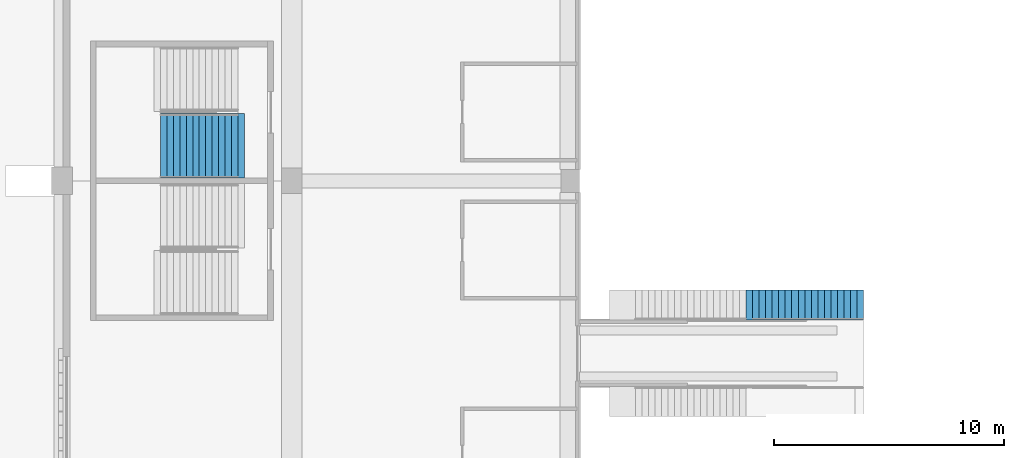
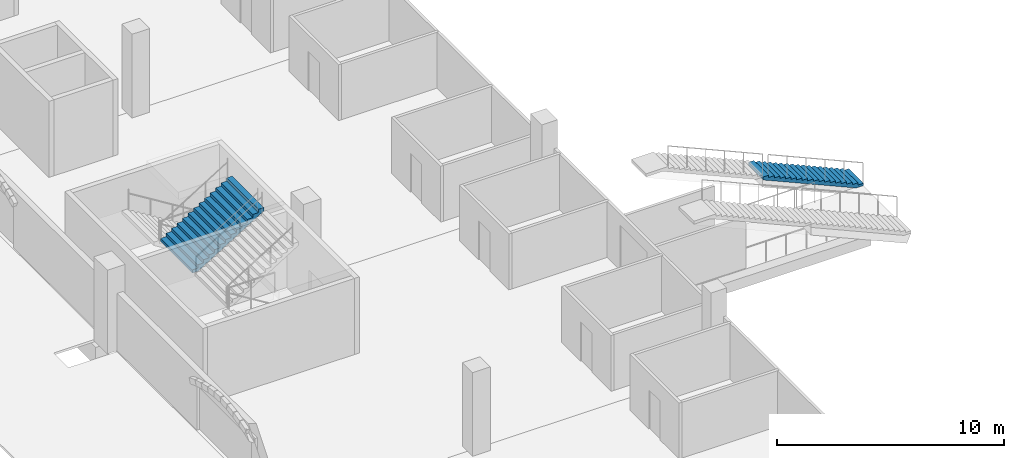
# One storey, part 81 of 175: 2 stair flights, 2 elements without a shape of their own.
"""IFC4 building model written with IfcOpenShell, lengths in metres."""

from ifc_helpers import new_model, si_unit, direction, frame, origin, place, context, subcontext, project, spatial, faceted_brep, material, type_object, element, aggregate, save


model = new_model("IFC4")

# Units and contexts
model_context = context("Model", 3, precision=1e-05, world=origin(), true_north=direction((0.0, 1.0)))
body_context = subcontext(model_context, "Body", "Model", "MODEL_VIEW")
ifc_project = project(units=[si_unit("LENGTHUNIT", "METRE"), si_unit("AREAUNIT", "SQUARE_METRE"), si_unit("VOLUMEUNIT", "CUBIC_METRE"), si_unit("PLANEANGLEUNIT", "RADIAN"), si_unit("MASSUNIT", "GRAM", prefix="KILO")], contexts=[model_context])

# Site, building, storey
site_placement = place(None, origin())
site = spatial("IfcSite", under=ifc_project, at=site_placement, CompositionType="ELEMENT")
building_placement = place(site_placement, origin())
building = spatial("IfcBuilding", under=site, at=building_placement, Name="Ogive Plaza Stadium", CompositionType="ELEMENT")
storey_placement = place(building_placement, origin())
storey = spatial("IfcBuildingStorey", under=building, at=storey_placement, Name="L00", CompositionType="ELEMENT", Elevation=0.0)

# Stair, stair flight
ifc_material_1 = material(Name="Concrete C40/50", Category="concrete")
stair_type_1 = type_object("IfcStairType", Name="Aisle stair", PredefinedType="STRAIGHT_RUN_STAIR", material=ifc_material_1)
stair_1_placement = place(storey_placement, origin())
stair_1 = element("IfcStair", 1, at=stair_1_placement, inside=storey, type_object=stair_type_1, Name="Aisle stair SA23L", PredefinedType="STRAIGHT_RUN_STAIR")
ifc_material_2 = material(Name="Concrete C40/50", Category="concrete")
stair_flight_type_1 = type_object("IfcStairFlightType", Name="Aisle stair flight", PredefinedType="STRAIGHT", material=ifc_material_2)
stair_flight_1_placement = place(storey_placement, frame((-49.14990234375, -12.89990234375, 0.0), z_axis=(0.0, 0.0, 1.0), x_axis=(-1.0, 0.0, 0.0)))
stair_flight_1 = element("IfcStairFlight", 2, at=stair_flight_1_placement, type_object=stair_flight_type_1, Name="SA23L flight 1", NumberOfRisers=18, NumberOfTreads=17, PredefinedType="STRAIGHT", RiserHeight=0.125, TreadLength=0.283333333, context=body_context, shape_type="Brep", body=[
    faceted_brep([(0.371337890625, -0.64990234375, 0.0), (5.10009765625, -0.64990234375, 2.086181640625), (5.10009765625, -0.64990234375, 2.25), (4.816650390625, -0.64990234375, 2.25), (4.816650390625, -0.64990234375, 2.125), (4.533447265625, -0.64990234375, 2.125), (4.533447265625, -0.64990234375, 2.0), (4.25, -0.64990234375, 2.0), (4.25, -0.64990234375, 1.875), (3.966552734375, -0.64990234375, 1.875), (3.966552734375, -0.64990234375, 1.75), (3.683349609375, -0.64990234375, 1.75), (3.683349609375, -0.64990234375, 1.625), (3.39990234375, -0.64990234375, 1.625), (3.39990234375, -0.64990234375, 1.5), (3.11669921875, -0.64990234375, 1.5), (3.11669921875, -0.64990234375, 1.375), (2.833251953125, -0.64990234375, 1.375), (2.833251953125, -0.64990234375, 1.25), (2.550048828125, -0.64990234375, 1.25), (2.550048828125, -0.64990234375, 1.125), (2.2666015625, -0.64990234375, 1.125), (2.2666015625, -0.64990234375, 1.0), (1.9833984375, -0.64990234375, 1.0), (1.9833984375, -0.64990234375, 0.875), (1.699951171875, -0.64990234375, 0.875), (1.699951171875, -0.64990234375, 0.75), (1.416748046875, -0.64990234375, 0.75), (1.416748046875, -0.64990234375, 0.625), (1.13330078125, -0.64990234375, 0.625), (1.13330078125, -0.64990234375, 0.5), (0.85009765625, -0.64990234375, 0.5), (0.85009765625, -0.64990234375, 0.375), (0.566650390625, -0.64990234375, 0.375), (0.566650390625, -0.64990234375, 0.25), (0.283447265625, -0.64990234375, 0.25), (0.283447265625, -0.64990234375, 0.125), (0.0, -0.64990234375, 0.125), (0.0, -0.64990234375, 0.0), (0.0, 0.64990234375, 0.0), (0.0, 0.64990234375, 0.125), (0.283447265625, 0.64990234375, 0.125), (0.283447265625, 0.64990234375, 0.25), (0.566650390625, 0.64990234375, 0.25), (0.566650390625, 0.64990234375, 0.375), (0.85009765625, 0.64990234375, 0.375), (0.85009765625, 0.64990234375, 0.5), (1.13330078125, 0.64990234375, 0.5), (1.13330078125, 0.64990234375, 0.625), (1.416748046875, 0.64990234375, 0.625), (1.416748046875, 0.64990234375, 0.75), (1.699951171875, 0.64990234375, 0.75), (1.699951171875, 0.64990234375, 0.875), (1.9833984375, 0.64990234375, 0.875), (1.9833984375, 0.64990234375, 1.0), (2.2666015625, 0.64990234375, 1.0), (2.2666015625, 0.64990234375, 1.125), (2.550048828125, 0.64990234375, 1.125), (2.550048828125, 0.64990234375, 1.25), (2.833251953125, 0.64990234375, 1.25), (2.833251953125, 0.64990234375, 1.375), (3.11669921875, 0.64990234375, 1.375), (3.11669921875, 0.64990234375, 1.5), (3.39990234375, 0.64990234375, 1.5), (3.39990234375, 0.64990234375, 1.625), (3.683349609375, 0.64990234375, 1.625), (3.683349609375, 0.64990234375, 1.75), (3.966552734375, 0.64990234375, 1.75), (3.966552734375, 0.64990234375, 1.875), (4.25, 0.64990234375, 1.875), (4.25, 0.64990234375, 2.0), (4.533447265625, 0.64990234375, 2.0), (4.533447265625, 0.64990234375, 2.125), (4.816650390625, 0.64990234375, 2.125), (4.816650390625, 0.64990234375, 2.25), (5.10009765625, 0.64990234375, 2.25), (5.10009765625, 0.64990234375, 2.086181640625), (0.371337890625, 0.64990234375, 0.0), (0.371337890625, -0.324951171875, 0.0), (5.10009765625, -0.324951171875, 2.086181640625), (0.371337890625, 0.0, 0.0), (5.10009765625, 0.0, 2.086181640625), (0.371337890625, 0.324951171875, 0.0), (5.10009765625, 0.324951171875, 2.086181640625), (5.10009765625, -0.324951171875, 2.25), (5.10009765625, 0.0, 2.25), (5.10009765625, 0.324951171875, 2.25), (4.816650390625, -0.324951171875, 2.25), (4.816650390625, 0.0, 2.25), (4.816650390625, 0.324951171875, 2.25), (4.816650390625, -0.324951171875, 2.125), (4.816650390625, 0.0, 2.125), (4.816650390625, 0.324951171875, 2.125), (4.533447265625, -0.324951171875, 2.125), (4.533447265625, 0.0, 2.125), (4.533447265625, 0.324951171875, 2.125), (4.533447265625, -0.324951171875, 2.0), (4.533447265625, 0.0, 2.0), (4.533447265625, 0.324951171875, 2.0), (4.25, -0.324951171875, 2.0), (4.25, 0.0, 2.0), (4.25, 0.324951171875, 2.0), (4.25, -0.324951171875, 1.875), (4.25, 0.0, 1.875), (4.25, 0.324951171875, 1.875), (3.966552734375, -0.324951171875, 1.875), (3.966552734375, 0.0, 1.875), (3.966552734375, 0.324951171875, 1.875), (3.966552734375, -0.324951171875, 1.75), (3.966552734375, 0.0, 1.75), (3.966552734375, 0.324951171875, 1.75), (3.683349609375, -0.324951171875, 1.75), (3.683349609375, 0.0, 1.75), (3.683349609375, 0.324951171875, 1.75), (3.683349609375, -0.324951171875, 1.625), (3.683349609375, 0.0, 1.625), (3.683349609375, 0.324951171875, 1.625), (3.39990234375, -0.324951171875, 1.625), (3.39990234375, 0.0, 1.625), (3.39990234375, 0.324951171875, 1.625), (3.39990234375, -0.324951171875, 1.5), (3.39990234375, 0.0, 1.5), (3.39990234375, 0.324951171875, 1.5), (3.11669921875, -0.324951171875, 1.5), (3.11669921875, 0.0, 1.5), (3.11669921875, 0.324951171875, 1.5), (3.11669921875, -0.324951171875, 1.375), (3.11669921875, 0.0, 1.375), (3.11669921875, 0.324951171875, 1.375), (2.833251953125, -0.324951171875, 1.375), (2.833251953125, 0.0, 1.375), (2.833251953125, 0.324951171875, 1.375), (2.833251953125, -0.324951171875, 1.25), (2.833251953125, 0.0, 1.25), (2.833251953125, 0.324951171875, 1.25), (2.550048828125, -0.324951171875, 1.25), (2.550048828125, 0.0, 1.25), (2.550048828125, 0.324951171875, 1.25), (2.550048828125, -0.324951171875, 1.125), (2.550048828125, 0.0, 1.125), (2.550048828125, 0.324951171875, 1.125), (2.2666015625, -0.324951171875, 1.125), (2.2666015625, 0.0, 1.125), (2.2666015625, 0.324951171875, 1.125), (2.2666015625, -0.324951171875, 1.0), (2.2666015625, 0.0, 1.0), (2.2666015625, 0.324951171875, 1.0), (1.9833984375, -0.324951171875, 1.0), (1.9833984375, 0.0, 1.0), (1.9833984375, 0.324951171875, 1.0), (1.9833984375, -0.324951171875, 0.875), (1.9833984375, 0.0, 0.875), (1.9833984375, 0.324951171875, 0.875), (1.699951171875, -0.324951171875, 0.875), (1.699951171875, 0.0, 0.875), (1.699951171875, 0.324951171875, 0.875), (1.699951171875, -0.324951171875, 0.75), (1.699951171875, 0.0, 0.75), (1.699951171875, 0.324951171875, 0.75), (1.416748046875, -0.324951171875, 0.75), (1.416748046875, 0.0, 0.75), (1.416748046875, 0.324951171875, 0.75), (1.416748046875, -0.324951171875, 0.625), (1.416748046875, 0.0, 0.625), (1.416748046875, 0.324951171875, 0.625), (1.13330078125, -0.324951171875, 0.625), (1.13330078125, 0.0, 0.625), (1.13330078125, 0.324951171875, 0.625), (1.13330078125, -0.324951171875, 0.5), (1.13330078125, 0.0, 0.5), (1.13330078125, 0.324951171875, 0.5), (0.85009765625, -0.324951171875, 0.5), (0.85009765625, 0.0, 0.5), (0.85009765625, 0.324951171875, 0.5), (0.85009765625, -0.324951171875, 0.375), (0.85009765625, 0.0, 0.375), (0.85009765625, 0.324951171875, 0.375), (0.566650390625, -0.324951171875, 0.375), (0.566650390625, 0.0, 0.375), (0.566650390625, 0.324951171875, 0.375), (0.566650390625, -0.324951171875, 0.25), (0.566650390625, 0.0, 0.25), (0.566650390625, 0.324951171875, 0.25), (0.283447265625, -0.324951171875, 0.25), (0.283447265625, 0.0, 0.25), (0.283447265625, 0.324951171875, 0.25), (0.283447265625, -0.324951171875, 0.125), (0.283447265625, 0.0, 0.125), (0.283447265625, 0.324951171875, 0.125), (0.0, -0.324951171875, 0.125), (0.0, 0.0, 0.125), (0.0, 0.324951171875, 0.125), (0.0, -0.324951171875, 0.0), (0.0, 0.0, 0.0), (0.0, 0.324951171875, 0.0)], [[[0, 1, 2, 3, 4, 5, 6, 7, 8, 9, 10, 11, 12, 13, 14, 15, 16, 17, 18, 19, 20, 21, 22, 23, 24, 25, 26, 27, 28, 29, 30, 31, 32, 33, 34, 35, 36, 37, 38]], [[39, 40, 41, 42, 43, 44, 45, 46, 47, 48, 49, 50, 51, 52, 53, 54, 55, 56, 57, 58, 59, 60, 61, 62, 63, 64, 65, 66, 67, 68, 69, 70, 71, 72, 73, 74, 75, 76, 77]], [[0, 78, 79, 1]], [[78, 80, 81, 79]], [[80, 82, 83, 81]], [[82, 77, 76, 83]], [[1, 79, 84, 2]], [[79, 81, 85, 84]], [[81, 83, 86, 85]], [[83, 76, 75, 86]], [[2, 84, 87, 3]], [[84, 85, 88, 87]], [[85, 86, 89, 88]], [[86, 75, 74, 89]], [[3, 87, 90, 4]], [[87, 88, 91, 90]], [[88, 89, 92, 91]], [[89, 74, 73, 92]], [[4, 90, 93, 5]], [[90, 91, 94, 93]], [[91, 92, 95, 94]], [[92, 73, 72, 95]], [[5, 93, 96, 6]], [[93, 94, 97, 96]], [[94, 95, 98, 97]], [[95, 72, 71, 98]], [[6, 96, 99, 7]], [[96, 97, 100, 99]], [[97, 98, 101, 100]], [[98, 71, 70, 101]], [[7, 99, 102, 8]], [[99, 100, 103, 102]], [[100, 101, 104, 103]], [[101, 70, 69, 104]], [[8, 102, 105, 9]], [[102, 103, 106, 105]], [[103, 104, 107, 106]], [[104, 69, 68, 107]], [[9, 105, 108, 10]], [[105, 106, 109, 108]], [[106, 107, 110, 109]], [[107, 68, 67, 110]], [[10, 108, 111, 11]], [[108, 109, 112, 111]], [[109, 110, 113, 112]], [[110, 67, 66, 113]], [[11, 111, 114, 12]], [[111, 112, 115, 114]], [[112, 113, 116, 115]], [[113, 66, 65, 116]], [[12, 114, 117, 13]], [[114, 115, 118, 117]], [[115, 116, 119, 118]], [[116, 65, 64, 119]], [[13, 117, 120, 14]], [[117, 118, 121, 120]], [[118, 119, 122, 121]], [[119, 64, 63, 122]], [[14, 120, 123, 15]], [[120, 121, 124, 123]], [[121, 122, 125, 124]], [[122, 63, 62, 125]], [[15, 123, 126, 16]], [[123, 124, 127, 126]], [[124, 125, 128, 127]], [[125, 62, 61, 128]], [[16, 126, 129, 17]], [[126, 127, 130, 129]], [[127, 128, 131, 130]], [[128, 61, 60, 131]], [[17, 129, 132, 18]], [[129, 130, 133, 132]], [[130, 131, 134, 133]], [[131, 60, 59, 134]], [[18, 132, 135, 19]], [[132, 133, 136, 135]], [[133, 134, 137, 136]], [[134, 59, 58, 137]], [[19, 135, 138, 20]], [[135, 136, 139, 138]], [[136, 137, 140, 139]], [[137, 58, 57, 140]], [[20, 138, 141, 21]], [[138, 139, 142, 141]], [[139, 140, 143, 142]], [[140, 57, 56, 143]], [[21, 141, 144, 22]], [[141, 142, 145, 144]], [[142, 143, 146, 145]], [[143, 56, 55, 146]], [[22, 144, 147, 23]], [[144, 145, 148, 147]], [[145, 146, 149, 148]], [[146, 55, 54, 149]], [[23, 147, 150, 24]], [[147, 148, 151, 150]], [[148, 149, 152, 151]], [[149, 54, 53, 152]], [[24, 150, 153, 25]], [[150, 151, 154, 153]], [[151, 152, 155, 154]], [[152, 53, 52, 155]], [[25, 153, 156, 26]], [[153, 154, 157, 156]], [[154, 155, 158, 157]], [[155, 52, 51, 158]], [[26, 156, 159, 27]], [[156, 157, 160, 159]], [[157, 158, 161, 160]], [[158, 51, 50, 161]], [[27, 159, 162, 28]], [[159, 160, 163, 162]], [[160, 161, 164, 163]], [[161, 50, 49, 164]], [[28, 162, 165, 29]], [[162, 163, 166, 165]], [[163, 164, 167, 166]], [[164, 49, 48, 167]], [[29, 165, 168, 30]], [[165, 166, 169, 168]], [[166, 167, 170, 169]], [[167, 48, 47, 170]], [[30, 168, 171, 31]], [[168, 169, 172, 171]], [[169, 170, 173, 172]], [[170, 47, 46, 173]], [[31, 171, 174, 32]], [[171, 172, 175, 174]], [[172, 173, 176, 175]], [[173, 46, 45, 176]], [[32, 174, 177, 33]], [[174, 175, 178, 177]], [[175, 176, 179, 178]], [[176, 45, 44, 179]], [[33, 177, 180, 34]], [[177, 178, 181, 180]], [[178, 179, 182, 181]], [[179, 44, 43, 182]], [[34, 180, 183, 35]], [[180, 181, 184, 183]], [[181, 182, 185, 184]], [[182, 43, 42, 185]], [[35, 183, 186, 36]], [[183, 184, 187, 186]], [[184, 185, 188, 187]], [[185, 42, 41, 188]], [[36, 186, 189, 37]], [[186, 187, 190, 189]], [[187, 188, 191, 190]], [[188, 41, 40, 191]], [[37, 189, 192, 38]], [[189, 190, 193, 192]], [[190, 191, 194, 193]], [[191, 40, 39, 194]], [[38, 192, 78, 0]], [[192, 193, 80, 78]], [[193, 194, 82, 80]], [[194, 39, 77, 82]]]),
])
aggregate(stair_1, [stair_flight_1])

ifc_material_3 = material(Name="Concrete C40/50", Category="concrete")
stair_type_2 = type_object("IfcStairType", Name="Exit stair", PredefinedType="STRAIGHT_RUN_STAIR", material=ifc_material_3)
stair_2_placement = place(storey_placement, origin())
stair_2 = element("IfcStair", 3, at=stair_2_placement, inside=storey, type_object=stair_type_2, Name="Exit stair ST24A L00 to L01", PredefinedType="STRAIGHT_RUN_STAIR")
ifc_material_4 = material(Name="Concrete C40/50", Category="concrete")
stair_flight_type_2 = type_object("IfcStairFlightType", Name="Exit stair flight", PredefinedType="STRAIGHT", material=ifc_material_4)
stair_flight_2_placement = place(storey_placement, frame((-79.7099609375, -5.97509765625, 2.25), z_axis=(0.0, 0.0, 1.0), x_axis=(1.0, 0.0, 0.0)))
stair_flight_2 = element("IfcStairFlight", 4, at=stair_flight_2_placement, type_object=stair_flight_type_2, Name="ST24A flight 2", NumberOfRisers=13, NumberOfTreads=12, PredefinedType="STRAIGHT", RiserHeight=0.173076923, TreadLength=0.28, context=body_context, shape_type="Brep", body=[
    faceted_brep([(0.28515625, -1.39990234375, 0.0), (3.639892578125, -1.39990234375, 2.07373046875), (3.639892578125, -1.39990234375, 2.25), (3.360107421875, -1.39990234375, 2.25), (3.360107421875, -1.39990234375, 2.076904296875), (3.080078125, -1.39990234375, 2.076904296875), (3.080078125, -1.39990234375, 1.90380859375), (2.800048828125, -1.39990234375, 1.90380859375), (2.800048828125, -1.39990234375, 1.730712890625), (2.52001953125, -1.39990234375, 1.730712890625), (2.52001953125, -1.39990234375, 1.5576171875), (2.239990234375, -1.39990234375, 1.5576171875), (2.239990234375, -1.39990234375, 1.384521484375), (1.9599609375, -1.39990234375, 1.384521484375), (1.9599609375, -1.39990234375, 1.21142578125), (1.679931640625, -1.39990234375, 1.21142578125), (1.679931640625, -1.39990234375, 1.03857421875), (1.39990234375, -1.39990234375, 1.03857421875), (1.39990234375, -1.39990234375, 0.865478515625), (1.1201171875, -1.39990234375, 0.865478515625), (1.1201171875, -1.39990234375, 0.6923828125), (0.840087890625, -1.39990234375, 0.6923828125), (0.840087890625, -1.39990234375, 0.519287109375), (0.56005859375, -1.39990234375, 0.519287109375), (0.56005859375, -1.39990234375, 0.34619140625), (0.280029296875, -1.39990234375, 0.34619140625), (0.280029296875, -1.39990234375, 0.173095703125), (0.0, -1.39990234375, 0.173095703125), (0.0, -1.39990234375, 0.0), (0.0, 1.39990234375, 0.0), (0.0, 1.39990234375, 0.173095703125), (0.280029296875, 1.39990234375, 0.173095703125), (0.280029296875, 1.39990234375, 0.34619140625), (0.56005859375, 1.39990234375, 0.34619140625), (0.56005859375, 1.39990234375, 0.519287109375), (0.840087890625, 1.39990234375, 0.519287109375), (0.840087890625, 1.39990234375, 0.6923828125), (1.1201171875, 1.39990234375, 0.6923828125), (1.1201171875, 1.39990234375, 0.865478515625), (1.39990234375, 1.39990234375, 0.865478515625), (1.39990234375, 1.39990234375, 1.03857421875), (1.679931640625, 1.39990234375, 1.03857421875), (1.679931640625, 1.39990234375, 1.21142578125), (1.9599609375, 1.39990234375, 1.21142578125), (1.9599609375, 1.39990234375, 1.384521484375), (2.239990234375, 1.39990234375, 1.384521484375), (2.239990234375, 1.39990234375, 1.5576171875), (2.52001953125, 1.39990234375, 1.5576171875), (2.52001953125, 1.39990234375, 1.730712890625), (2.800048828125, 1.39990234375, 1.730712890625), (2.800048828125, 1.39990234375, 1.90380859375), (3.080078125, 1.39990234375, 1.90380859375), (3.080078125, 1.39990234375, 2.076904296875), (3.360107421875, 1.39990234375, 2.076904296875), (3.360107421875, 1.39990234375, 2.25), (3.639892578125, 1.39990234375, 2.25), (3.639892578125, 1.39990234375, 2.07373046875), (0.28515625, 1.39990234375, 0.0), (0.28515625, -1.0888671875, 0.0), (3.639892578125, -1.0888671875, 2.07373046875), (0.28515625, -0.77783203125, 0.0), (3.639892578125, -0.77783203125, 2.07373046875), (0.28515625, -0.466796875, 0.0), (3.639892578125, -0.466796875, 2.07373046875), (0.28515625, -0.155517578125, 0.0), (3.639892578125, -0.155517578125, 2.07373046875), (0.28515625, 0.155517578125, 0.0), (3.639892578125, 0.155517578125, 2.07373046875), (0.28515625, 0.466796875, 0.0), (3.639892578125, 0.466796875, 2.07373046875), (0.28515625, 0.77783203125, 0.0), (3.639892578125, 0.77783203125, 2.07373046875), (0.28515625, 1.0888671875, 0.0), (3.639892578125, 1.0888671875, 2.07373046875), (3.639892578125, -1.0888671875, 2.25), (3.639892578125, -0.77783203125, 2.25), (3.639892578125, -0.466796875, 2.25), (3.639892578125, -0.155517578125, 2.25), (3.639892578125, 0.155517578125, 2.25), (3.639892578125, 0.466796875, 2.25), (3.639892578125, 0.77783203125, 2.25), (3.639892578125, 1.0888671875, 2.25), (3.360107421875, -1.0888671875, 2.25), (3.360107421875, -0.77783203125, 2.25), (3.360107421875, -0.466796875, 2.25), (3.360107421875, -0.155517578125, 2.25), (3.360107421875, 0.155517578125, 2.25), (3.360107421875, 0.466796875, 2.25), (3.360107421875, 0.77783203125, 2.25), (3.360107421875, 1.0888671875, 2.25), (3.360107421875, -1.0888671875, 2.076904296875), (3.360107421875, -0.77783203125, 2.076904296875), (3.360107421875, -0.466796875, 2.076904296875), (3.360107421875, -0.155517578125, 2.076904296875), (3.360107421875, 0.155517578125, 2.076904296875), (3.360107421875, 0.466796875, 2.076904296875), (3.360107421875, 0.77783203125, 2.076904296875), (3.360107421875, 1.0888671875, 2.076904296875), (3.080078125, -1.0888671875, 2.076904296875), (3.080078125, -0.77783203125, 2.076904296875), (3.080078125, -0.466796875, 2.076904296875), (3.080078125, -0.155517578125, 2.076904296875), (3.080078125, 0.155517578125, 2.076904296875), (3.080078125, 0.466796875, 2.076904296875), (3.080078125, 0.77783203125, 2.076904296875), (3.080078125, 1.0888671875, 2.076904296875), (3.080078125, -1.0888671875, 1.90380859375), (3.080078125, -0.77783203125, 1.90380859375), (3.080078125, -0.466796875, 1.90380859375), (3.080078125, -0.155517578125, 1.90380859375), (3.080078125, 0.155517578125, 1.90380859375), (3.080078125, 0.466796875, 1.90380859375), (3.080078125, 0.77783203125, 1.90380859375), (3.080078125, 1.0888671875, 1.90380859375), (2.800048828125, -1.0888671875, 1.90380859375), (2.800048828125, -0.77783203125, 1.90380859375), (2.800048828125, -0.466796875, 1.90380859375), (2.800048828125, -0.155517578125, 1.90380859375), (2.800048828125, 0.155517578125, 1.90380859375), (2.800048828125, 0.466796875, 1.90380859375), (2.800048828125, 0.77783203125, 1.90380859375), (2.800048828125, 1.0888671875, 1.90380859375), (2.800048828125, -1.0888671875, 1.730712890625), (2.800048828125, -0.77783203125, 1.730712890625), (2.800048828125, -0.466796875, 1.730712890625), (2.800048828125, -0.155517578125, 1.730712890625), (2.800048828125, 0.155517578125, 1.730712890625), (2.800048828125, 0.466796875, 1.730712890625), (2.800048828125, 0.77783203125, 1.730712890625), (2.800048828125, 1.0888671875, 1.730712890625), (2.52001953125, -1.0888671875, 1.730712890625), (2.52001953125, -0.77783203125, 1.730712890625), (2.52001953125, -0.466796875, 1.730712890625), (2.52001953125, -0.155517578125, 1.730712890625), (2.52001953125, 0.155517578125, 1.730712890625), (2.52001953125, 0.466796875, 1.730712890625), (2.52001953125, 0.77783203125, 1.730712890625), (2.52001953125, 1.0888671875, 1.730712890625), (2.52001953125, -1.0888671875, 1.5576171875), (2.52001953125, -0.77783203125, 1.5576171875), (2.52001953125, -0.466796875, 1.5576171875), (2.52001953125, -0.155517578125, 1.5576171875), (2.52001953125, 0.155517578125, 1.5576171875), (2.52001953125, 0.466796875, 1.5576171875), (2.52001953125, 0.77783203125, 1.5576171875), (2.52001953125, 1.0888671875, 1.5576171875), (2.239990234375, -1.0888671875, 1.5576171875), (2.239990234375, -0.77783203125, 1.5576171875), (2.239990234375, -0.466796875, 1.5576171875), (2.239990234375, -0.155517578125, 1.5576171875), (2.239990234375, 0.155517578125, 1.5576171875), (2.239990234375, 0.466796875, 1.5576171875), (2.239990234375, 0.77783203125, 1.5576171875), (2.239990234375, 1.0888671875, 1.5576171875), (2.239990234375, -1.0888671875, 1.384521484375), (2.239990234375, -0.77783203125, 1.384521484375), (2.239990234375, -0.466796875, 1.384521484375), (2.239990234375, -0.155517578125, 1.384521484375), (2.239990234375, 0.155517578125, 1.384521484375), (2.239990234375, 0.466796875, 1.384521484375), (2.239990234375, 0.77783203125, 1.384521484375), (2.239990234375, 1.0888671875, 1.384521484375), (1.9599609375, -1.0888671875, 1.384521484375), (1.9599609375, -0.77783203125, 1.384521484375), (1.9599609375, -0.466796875, 1.384521484375), (1.9599609375, -0.155517578125, 1.384521484375), (1.9599609375, 0.155517578125, 1.384521484375), (1.9599609375, 0.466796875, 1.384521484375), (1.9599609375, 0.77783203125, 1.384521484375), (1.9599609375, 1.0888671875, 1.384521484375), (1.9599609375, -1.0888671875, 1.21142578125), (1.9599609375, -0.77783203125, 1.21142578125), (1.9599609375, -0.466796875, 1.21142578125), (1.9599609375, -0.155517578125, 1.21142578125), (1.9599609375, 0.155517578125, 1.21142578125), (1.9599609375, 0.466796875, 1.21142578125), (1.9599609375, 0.77783203125, 1.21142578125), (1.9599609375, 1.0888671875, 1.21142578125), (1.679931640625, -1.0888671875, 1.21142578125), (1.679931640625, -0.77783203125, 1.21142578125), (1.679931640625, -0.466796875, 1.21142578125), (1.679931640625, -0.155517578125, 1.21142578125), (1.679931640625, 0.155517578125, 1.21142578125), (1.679931640625, 0.466796875, 1.21142578125), (1.679931640625, 0.77783203125, 1.21142578125), (1.679931640625, 1.0888671875, 1.21142578125), (1.679931640625, -1.0888671875, 1.03857421875), (1.679931640625, -0.77783203125, 1.03857421875), (1.679931640625, -0.466796875, 1.03857421875), (1.679931640625, -0.155517578125, 1.03857421875), (1.679931640625, 0.155517578125, 1.03857421875), (1.679931640625, 0.466796875, 1.03857421875), (1.679931640625, 0.77783203125, 1.03857421875), (1.679931640625, 1.0888671875, 1.03857421875), (1.39990234375, -1.0888671875, 1.03857421875), (1.39990234375, -0.77783203125, 1.03857421875), (1.39990234375, -0.466796875, 1.03857421875), (1.39990234375, -0.155517578125, 1.03857421875), (1.39990234375, 0.155517578125, 1.03857421875), (1.39990234375, 0.466796875, 1.03857421875), (1.39990234375, 0.77783203125, 1.03857421875), (1.39990234375, 1.0888671875, 1.03857421875), (1.39990234375, -1.0888671875, 0.865478515625), (1.39990234375, -0.77783203125, 0.865478515625), (1.39990234375, -0.466796875, 0.865478515625), (1.39990234375, -0.155517578125, 0.865478515625), (1.39990234375, 0.155517578125, 0.865478515625), (1.39990234375, 0.466796875, 0.865478515625), (1.39990234375, 0.77783203125, 0.865478515625), (1.39990234375, 1.0888671875, 0.865478515625), (1.1201171875, -1.0888671875, 0.865478515625), (1.1201171875, -0.77783203125, 0.865478515625), (1.1201171875, -0.466796875, 0.865478515625), (1.1201171875, -0.155517578125, 0.865478515625), (1.1201171875, 0.155517578125, 0.865478515625), (1.1201171875, 0.466796875, 0.865478515625), (1.1201171875, 0.77783203125, 0.865478515625), (1.1201171875, 1.0888671875, 0.865478515625), (1.1201171875, -1.0888671875, 0.6923828125), (1.1201171875, -0.77783203125, 0.6923828125), (1.1201171875, -0.466796875, 0.6923828125), (1.1201171875, -0.155517578125, 0.6923828125), (1.1201171875, 0.155517578125, 0.6923828125), (1.1201171875, 0.466796875, 0.6923828125), (1.1201171875, 0.77783203125, 0.6923828125), (1.1201171875, 1.0888671875, 0.6923828125), (0.840087890625, -1.0888671875, 0.6923828125), (0.840087890625, -0.77783203125, 0.6923828125), (0.840087890625, -0.466796875, 0.6923828125), (0.840087890625, -0.155517578125, 0.6923828125), (0.840087890625, 0.155517578125, 0.6923828125), (0.840087890625, 0.466796875, 0.6923828125), (0.840087890625, 0.77783203125, 0.6923828125), (0.840087890625, 1.0888671875, 0.6923828125), (0.840087890625, -1.0888671875, 0.519287109375), (0.840087890625, -0.77783203125, 0.519287109375), (0.840087890625, -0.466796875, 0.519287109375), (0.840087890625, -0.155517578125, 0.519287109375), (0.840087890625, 0.155517578125, 0.519287109375), (0.840087890625, 0.466796875, 0.519287109375), (0.840087890625, 0.77783203125, 0.519287109375), (0.840087890625, 1.0888671875, 0.519287109375), (0.56005859375, -1.0888671875, 0.519287109375), (0.56005859375, -0.77783203125, 0.519287109375), (0.56005859375, -0.466796875, 0.519287109375), (0.56005859375, -0.155517578125, 0.519287109375), (0.56005859375, 0.155517578125, 0.519287109375), (0.56005859375, 0.466796875, 0.519287109375), (0.56005859375, 0.77783203125, 0.519287109375), (0.56005859375, 1.0888671875, 0.519287109375), (0.56005859375, -1.0888671875, 0.34619140625), (0.56005859375, -0.77783203125, 0.34619140625), (0.56005859375, -0.466796875, 0.34619140625), (0.56005859375, -0.155517578125, 0.34619140625), (0.56005859375, 0.155517578125, 0.34619140625), (0.56005859375, 0.466796875, 0.34619140625), (0.56005859375, 0.77783203125, 0.34619140625), (0.56005859375, 1.0888671875, 0.34619140625), (0.280029296875, -1.0888671875, 0.34619140625), (0.280029296875, -0.77783203125, 0.34619140625), (0.280029296875, -0.466796875, 0.34619140625), (0.280029296875, -0.155517578125, 0.34619140625), (0.280029296875, 0.155517578125, 0.34619140625), (0.280029296875, 0.466796875, 0.34619140625), (0.280029296875, 0.77783203125, 0.34619140625), (0.280029296875, 1.0888671875, 0.34619140625), (0.280029296875, -1.0888671875, 0.173095703125), (0.280029296875, -0.77783203125, 0.173095703125), (0.280029296875, -0.466796875, 0.173095703125), (0.280029296875, -0.155517578125, 0.173095703125), (0.280029296875, 0.155517578125, 0.173095703125), (0.280029296875, 0.466796875, 0.173095703125), (0.280029296875, 0.77783203125, 0.173095703125), (0.280029296875, 1.0888671875, 0.173095703125), (0.0, -1.0888671875, 0.173095703125), (0.0, -0.77783203125, 0.173095703125), (0.0, -0.466796875, 0.173095703125), (0.0, -0.155517578125, 0.173095703125), (0.0, 0.155517578125, 0.173095703125), (0.0, 0.466796875, 0.173095703125), (0.0, 0.77783203125, 0.173095703125), (0.0, 1.0888671875, 0.173095703125), (0.0, -1.0888671875, 0.0), (0.0, -0.77783203125, 0.0), (0.0, -0.466796875, 0.0), (0.0, -0.155517578125, 0.0), (0.0, 0.155517578125, 0.0), (0.0, 0.466796875, 0.0), (0.0, 0.77783203125, 0.0), (0.0, 1.0888671875, 0.0)], [[[0, 1, 2, 3, 4, 5, 6, 7, 8, 9, 10, 11, 12, 13, 14, 15, 16, 17, 18, 19, 20, 21, 22, 23, 24, 25, 26, 27, 28]], [[29, 30, 31, 32, 33, 34, 35, 36, 37, 38, 39, 40, 41, 42, 43, 44, 45, 46, 47, 48, 49, 50, 51, 52, 53, 54, 55, 56, 57]], [[0, 58, 59, 1]], [[58, 60, 61, 59]], [[60, 62, 63, 61]], [[62, 64, 65, 63]], [[64, 66, 67, 65]], [[66, 68, 69, 67]], [[68, 70, 71, 69]], [[70, 72, 73, 71]], [[72, 57, 56, 73]], [[1, 59, 74, 2]], [[59, 61, 75, 74]], [[61, 63, 76, 75]], [[63, 65, 77, 76]], [[65, 67, 78, 77]], [[67, 69, 79, 78]], [[69, 71, 80, 79]], [[71, 73, 81, 80]], [[73, 56, 55, 81]], [[2, 74, 82, 3]], [[74, 75, 83, 82]], [[75, 76, 84, 83]], [[76, 77, 85, 84]], [[77, 78, 86, 85]], [[78, 79, 87, 86]], [[79, 80, 88, 87]], [[80, 81, 89, 88]], [[81, 55, 54, 89]], [[3, 82, 90, 4]], [[82, 83, 91, 90]], [[83, 84, 92, 91]], [[84, 85, 93, 92]], [[85, 86, 94, 93]], [[86, 87, 95, 94]], [[87, 88, 96, 95]], [[88, 89, 97, 96]], [[89, 54, 53, 97]], [[4, 90, 98, 5]], [[90, 91, 99, 98]], [[91, 92, 100, 99]], [[92, 93, 101, 100]], [[93, 94, 102, 101]], [[94, 95, 103, 102]], [[95, 96, 104, 103]], [[96, 97, 105, 104]], [[97, 53, 52, 105]], [[5, 98, 106, 6]], [[98, 99, 107, 106]], [[99, 100, 108, 107]], [[100, 101, 109, 108]], [[101, 102, 110, 109]], [[102, 103, 111, 110]], [[103, 104, 112, 111]], [[104, 105, 113, 112]], [[105, 52, 51, 113]], [[6, 106, 114, 7]], [[106, 107, 115, 114]], [[107, 108, 116, 115]], [[108, 109, 117, 116]], [[109, 110, 118, 117]], [[110, 111, 119, 118]], [[111, 112, 120, 119]], [[112, 113, 121, 120]], [[113, 51, 50, 121]], [[7, 114, 122, 8]], [[114, 115, 123, 122]], [[115, 116, 124, 123]], [[116, 117, 125, 124]], [[117, 118, 126, 125]], [[118, 119, 127, 126]], [[119, 120, 128, 127]], [[120, 121, 129, 128]], [[121, 50, 49, 129]], [[8, 122, 130, 9]], [[122, 123, 131, 130]], [[123, 124, 132, 131]], [[124, 125, 133, 132]], [[125, 126, 134, 133]], [[126, 127, 135, 134]], [[127, 128, 136, 135]], [[128, 129, 137, 136]], [[129, 49, 48, 137]], [[9, 130, 138, 10]], [[130, 131, 139, 138]], [[131, 132, 140, 139]], [[132, 133, 141, 140]], [[133, 134, 142, 141]], [[134, 135, 143, 142]], [[135, 136, 144, 143]], [[136, 137, 145, 144]], [[137, 48, 47, 145]], [[10, 138, 146, 11]], [[138, 139, 147, 146]], [[139, 140, 148, 147]], [[140, 141, 149, 148]], [[141, 142, 150, 149]], [[142, 143, 151, 150]], [[143, 144, 152, 151]], [[144, 145, 153, 152]], [[145, 47, 46, 153]], [[11, 146, 154, 12]], [[146, 147, 155, 154]], [[147, 148, 156, 155]], [[148, 149, 157, 156]], [[149, 150, 158, 157]], [[150, 151, 159, 158]], [[151, 152, 160, 159]], [[152, 153, 161, 160]], [[153, 46, 45, 161]], [[12, 154, 162, 13]], [[154, 155, 163, 162]], [[155, 156, 164, 163]], [[156, 157, 165, 164]], [[157, 158, 166, 165]], [[158, 159, 167, 166]], [[159, 160, 168, 167]], [[160, 161, 169, 168]], [[161, 45, 44, 169]], [[13, 162, 170, 14]], [[162, 163, 171, 170]], [[163, 164, 172, 171]], [[164, 165, 173, 172]], [[165, 166, 174, 173]], [[166, 167, 175, 174]], [[167, 168, 176, 175]], [[168, 169, 177, 176]], [[169, 44, 43, 177]], [[14, 170, 178, 15]], [[170, 171, 179, 178]], [[171, 172, 180, 179]], [[172, 173, 181, 180]], [[173, 174, 182, 181]], [[174, 175, 183, 182]], [[175, 176, 184, 183]], [[176, 177, 185, 184]], [[177, 43, 42, 185]], [[15, 178, 186, 16]], [[178, 179, 187, 186]], [[179, 180, 188, 187]], [[180, 181, 189, 188]], [[181, 182, 190, 189]], [[182, 183, 191, 190]], [[183, 184, 192, 191]], [[184, 185, 193, 192]], [[185, 42, 41, 193]], [[16, 186, 194, 17]], [[186, 187, 195, 194]], [[187, 188, 196, 195]], [[188, 189, 197, 196]], [[189, 190, 198, 197]], [[190, 191, 199, 198]], [[191, 192, 200, 199]], [[192, 193, 201, 200]], [[193, 41, 40, 201]], [[17, 194, 202, 18]], [[194, 195, 203, 202]], [[195, 196, 204, 203]], [[196, 197, 205, 204]], [[197, 198, 206, 205]], [[198, 199, 207, 206]], [[199, 200, 208, 207]], [[200, 201, 209, 208]], [[201, 40, 39, 209]], [[18, 202, 210, 19]], [[202, 203, 211, 210]], [[203, 204, 212, 211]], [[204, 205, 213, 212]], [[205, 206, 214, 213]], [[206, 207, 215, 214]], [[207, 208, 216, 215]], [[208, 209, 217, 216]], [[209, 39, 38, 217]], [[19, 210, 218, 20]], [[210, 211, 219, 218]], [[211, 212, 220, 219]], [[212, 213, 221, 220]], [[213, 214, 222, 221]], [[214, 215, 223, 222]], [[215, 216, 224, 223]], [[216, 217, 225, 224]], [[217, 38, 37, 225]], [[20, 218, 226, 21]], [[218, 219, 227, 226]], [[219, 220, 228, 227]], [[220, 221, 229, 228]], [[221, 222, 230, 229]], [[222, 223, 231, 230]], [[223, 224, 232, 231]], [[224, 225, 233, 232]], [[225, 37, 36, 233]], [[21, 226, 234, 22]], [[226, 227, 235, 234]], [[227, 228, 236, 235]], [[228, 229, 237, 236]], [[229, 230, 238, 237]], [[230, 231, 239, 238]], [[231, 232, 240, 239]], [[232, 233, 241, 240]], [[233, 36, 35, 241]], [[22, 234, 242, 23]], [[234, 235, 243, 242]], [[235, 236, 244, 243]], [[236, 237, 245, 244]], [[237, 238, 246, 245]], [[238, 239, 247, 246]], [[239, 240, 248, 247]], [[240, 241, 249, 248]], [[241, 35, 34, 249]], [[23, 242, 250, 24]], [[242, 243, 251, 250]], [[243, 244, 252, 251]], [[244, 245, 253, 252]], [[245, 246, 254, 253]], [[246, 247, 255, 254]], [[247, 248, 256, 255]], [[248, 249, 257, 256]], [[249, 34, 33, 257]], [[24, 250, 258, 25]], [[250, 251, 259, 258]], [[251, 252, 260, 259]], [[252, 253, 261, 260]], [[253, 254, 262, 261]], [[254, 255, 263, 262]], [[255, 256, 264, 263]], [[256, 257, 265, 264]], [[257, 33, 32, 265]], [[25, 258, 266, 26]], [[258, 259, 267, 266]], [[259, 260, 268, 267]], [[260, 261, 269, 268]], [[261, 262, 270, 269]], [[262, 263, 271, 270]], [[263, 264, 272, 271]], [[264, 265, 273, 272]], [[265, 32, 31, 273]], [[26, 266, 274, 27]], [[266, 267, 275, 274]], [[267, 268, 276, 275]], [[268, 269, 277, 276]], [[269, 270, 278, 277]], [[270, 271, 279, 278]], [[271, 272, 280, 279]], [[272, 273, 281, 280]], [[273, 31, 30, 281]], [[27, 274, 282, 28]], [[274, 275, 283, 282]], [[275, 276, 284, 283]], [[276, 277, 285, 284]], [[277, 278, 286, 285]], [[278, 279, 287, 286]], [[279, 280, 288, 287]], [[280, 281, 289, 288]], [[281, 30, 29, 289]], [[28, 282, 58, 0]], [[282, 283, 60, 58]], [[283, 284, 62, 60]], [[284, 285, 64, 62]], [[285, 286, 66, 64]], [[286, 287, 68, 66]], [[287, 288, 70, 68]], [[288, 289, 72, 70]], [[289, 29, 57, 72]]]),
])
aggregate(stair_2, [stair_flight_2])

save(model, "model.ifc")
